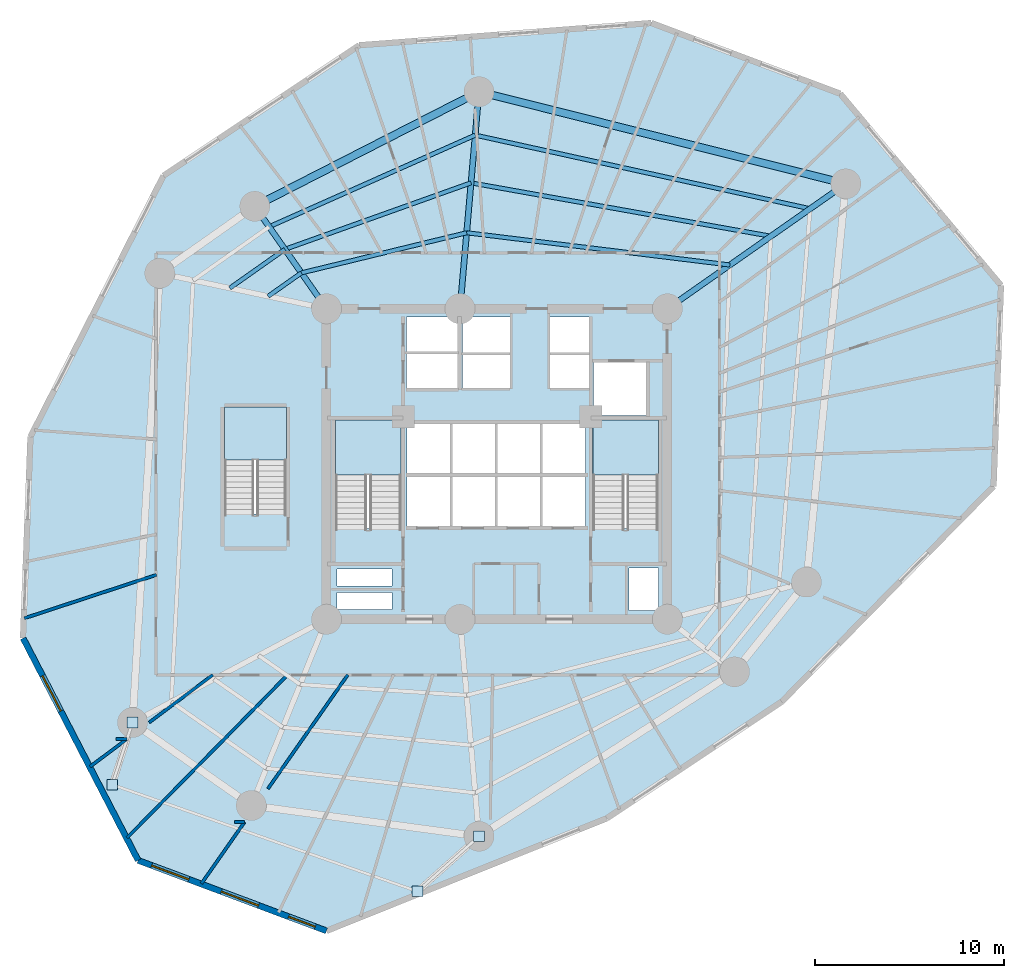
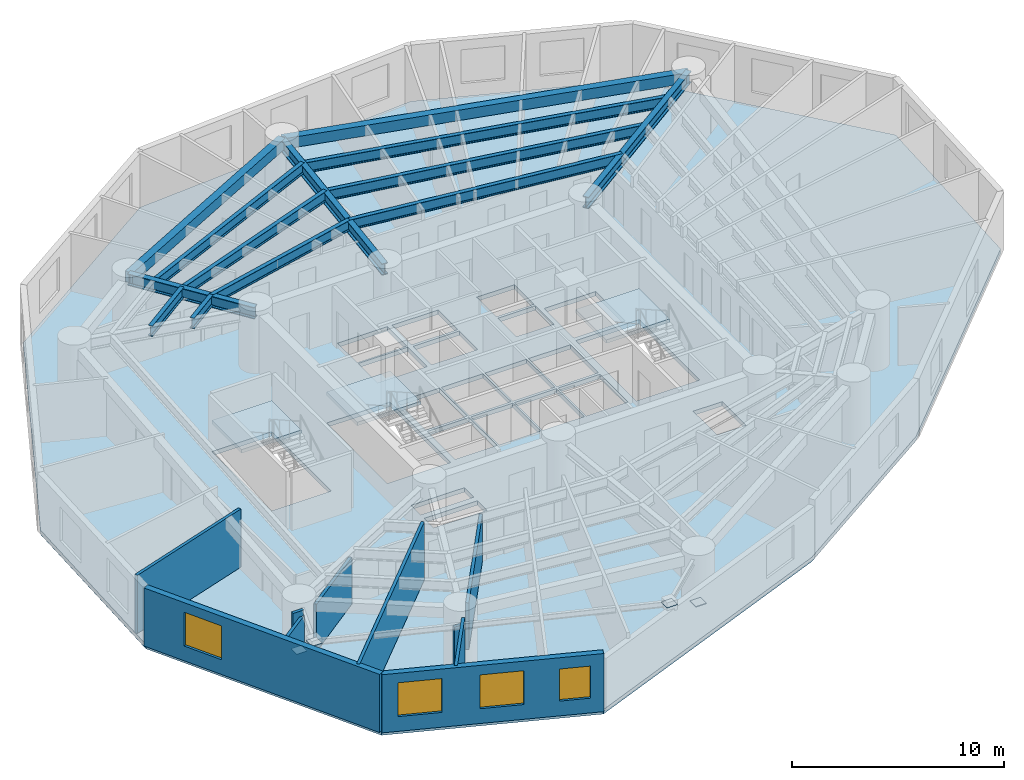
# One storey, part 2 of 8: 13 beams, 10 walls, 4 plates, 4 slabs, 4 windows, 4 openings, 3 elements without a shape of their own.
"""IFC4 building model written with IfcOpenShell, lengths in metres."""

from ifc_helpers import new_model, si_unit, direction, frame, frame_2d, origin, origin_with_axes, origin_2d, place, context, subcontext, project, spatial, polyline, rectangle, i_section, outline, extrude, source, transform, mapped, material, layer, layer_set, material_profile, profile_set, type_object, element, fill, aggregate, save


model = new_model("IFC4")

# Units and contexts
model_context = context("Model", 3, precision=1e-05, world=origin(), true_north=direction((0.0, 1.0)))
body_context = subcontext(model_context, "Body", "Model", "MODEL_VIEW")
ifc_project = project(units=[si_unit("LENGTHUNIT", "METRE"), si_unit("AREAUNIT", "SQUARE_METRE"), si_unit("VOLUMEUNIT", "CUBIC_METRE"), si_unit("PLANEANGLEUNIT", "RADIAN"), si_unit("MASSUNIT", "GRAM", prefix="KILO")], contexts=[model_context])

# Site, building, storey
site_placement = place(None, origin())
site = spatial("IfcSite", under=ifc_project, at=site_placement, CompositionType="ELEMENT")
building_placement = place(site_placement, origin())
building = spatial("IfcBuilding", under=site, at=building_placement, Name="Karkom Vertical University and Central Library", CompositionType="ELEMENT")
storey_placement = place(building_placement, frame((0.0, 0.0, 40.89990234375)))
storey = spatial("IfcBuildingStorey", under=building, at=storey_placement, Name="L10", CompositionType="ELEMENT", Elevation=40.89990234375)

# Beams
ifc_material_1 = material(Name="Steel S355", Category="steel")
ifc_material_profile_1 = material_profile(ifc_material_1, i_section(OverallWidth=0.300048828125, OverallDepth=0.64990234375, WebThickness=0.01611328125, FlangeThickness=0.031005859375, FilletRadius=0.027099609375, at=origin_2d()), Name="HE 650 B")
ifc_profile_set_1 = profile_set([ifc_material_profile_1], Name="Steel S355")
beam_type_1 = type_object("IfcBeamType", Name="STR-BM-SB-HE650", PredefinedType="USERDEFINED", material=ifc_profile_set_1)
shared_shape_1 = source(origin_with_axes(), body_context, "Body", "SweptSolid", [
    extrude(i_section(OverallWidth=0.300048828125, OverallDepth=0.64990234375, WebThickness=0.01611328125, FlangeThickness=0.031005859375, FilletRadius=0.027099609375, at=origin_2d()), origin(), (0.0, 0.0, 1.0), 11.49951171875),
])
beam_1_placement = place(storey_placement, frame((37.5, 34.699951171875, 3.025146484375), z_axis=(0.81915012564, 0.573579176457, 0.0), x_axis=(-0.573579176457, 0.81915012564, 0.0)))
element("IfcBeam", 1, at=beam_1_placement, inside=storey, type_object=beam_type_1, Name="Level 10 Radial Frame Girder 02", ObjectType="GIRDER", PredefinedType="USERDEFINED", context=body_context, shape_type="MappedRepresentation", body=[
    mapped(shared_shape_1, transform((0.0, 0.0, 0.0), scale=1.0)),
])
shared_shape_2 = source(origin_with_axes(), body_context, "Body", "SweptSolid", [
    extrude(i_section(OverallWidth=0.300048828125, OverallDepth=0.64990234375, WebThickness=0.01611328125, FlangeThickness=0.031005859375, FilletRadius=0.027099609375, at=origin_2d()), origin(), (0.0, 0.0, 1.0), 11.499755859375),
])
beam_2_placement = place(storey_placement, frame((26.550048828125, 34.699951171875, 3.025146484375), z_axis=(0.087127973109, 0.99619712723, 0.0), x_axis=(-0.99619712723, 0.087127973109, 0.0)))
element("IfcBeam", 2, at=beam_2_placement, inside=storey, type_object=beam_type_1, Name="Level 10 Radial Frame Girder 03", ObjectType="GIRDER", PredefinedType="USERDEFINED", context=body_context, shape_type="MappedRepresentation", body=[
    mapped(shared_shape_2, transform((0.0, 0.0, 0.0), scale=1.0)),
])
shared_shape_3 = source(origin_with_axes(), body_context, "Body", "SweptSolid", [
    extrude(i_section(OverallWidth=0.300048828125, OverallDepth=0.64990234375, WebThickness=0.01611328125, FlangeThickness=0.031005859375, FilletRadius=0.027099609375, at=origin_2d()), origin(), (0.0, 0.0, 1.0), 6.599853515625),
])
beam_3_placement = place(storey_placement, frame((19.5, 34.699951171875, 3.025146484375), z_axis=(-0.573633636671, 0.819111989218, 0.0), x_axis=(-0.819111989218, -0.573633636671, 0.0)))
element("IfcBeam", 3, at=beam_3_placement, inside=storey, type_object=beam_type_1, Name="Level 10 Radial Frame Girder 04", ObjectType="GIRDER", PredefinedType="USERDEFINED", context=body_context, shape_type="MappedRepresentation", body=[
    mapped(shared_shape_3, transform((0.0, 0.0, 0.0), scale=1.0)),
])
ifc_material_2 = material(Name="Precast concrete C45/55", Category="concrete")
ifc_material_profile_2 = material_profile(ifc_material_2, rectangle(XDim=0.39990234375, YDim=0.60009765625, at=origin_2d()), Name="SPB-400x600")
ifc_profile_set_2 = profile_set([ifc_material_profile_2], Name="Precast concrete C45/55")
beam_type_2 = type_object("IfcBeamType", Name="STR-BM-SP-1", PredefinedType="SPANDREL", material=ifc_profile_set_2)
shared_shape_4 = source(origin_with_axes(), body_context, "Body", "SweptSolid", [
    extrude(rectangle(XDim=0.39990234375, YDim=0.60009765625, at=origin_2d()), origin(), (0.0, 0.0, 1.0), 19.968505859375),
])
beam_4_placement = place(storey_placement, frame((46.919921875, 41.2958984375, 3.050048828125), z_axis=(-0.969928522391, 0.243389937039, 0.0), x_axis=(-0.243389937039, -0.969928522391, 0.0)))
element("IfcBeam", 4, at=beam_4_placement, inside=storey, type_object=beam_type_2, Name="Level 10 Perimeter Spandrel Beam 02", PredefinedType="SPANDREL", context=body_context, shape_type="MappedRepresentation", body=[
    mapped(shared_shape_4, transform((0.0, 0.0, 0.0), scale=1.0)),
])
shared_shape_5 = source(origin_with_axes(), body_context, "Body", "SweptSolid", [
    extrude(rectangle(XDim=0.39990234375, YDim=0.60009765625, at=origin_2d()), origin(), (0.0, 0.0, 1.0), 13.29443359375),
])
beam_5_placement = place(storey_placement, frame((27.552001953125, 46.156005859375, 3.050048828125), z_axis=(-0.890447746793, -0.455085497716, 0.0), x_axis=(0.455085497716, -0.890447746793, 0.0)))
element("IfcBeam", 5, at=beam_5_placement, inside=storey, type_object=beam_type_2, Name="Level 10 Perimeter Spandrel Beam 03", PredefinedType="SPANDREL", context=body_context, shape_type="MappedRepresentation", body=[
    mapped(shared_shape_5, transform((0.0, 0.0, 0.0), scale=1.0)),
])
ifc_material_profile_3 = material_profile(ifc_material_1, i_section(OverallWidth=0.219970703125, OverallDepth=0.60009765625, WebThickness=0.011962890625, FlangeThickness=0.01904296875, FilletRadius=0.02392578125, at=origin_2d()), Name="IPE 600")
ifc_profile_set_3 = profile_set([ifc_material_profile_3], Name="Steel S355")
beam_type_3 = type_object("IfcBeamType", Name="STR-BM-SB-IPE600", PredefinedType="BEAM", material=ifc_profile_set_3)
shared_shape_6 = source(origin_with_axes(), body_context, "Body", "SweptSolid", [
    extrude(i_section(OverallWidth=0.219970703125, OverallDepth=0.60009765625, WebThickness=0.011962890625, FlangeThickness=0.01904296875, FilletRadius=0.02392578125, at=origin_2d()), origin(), (0.0, 0.0, 1.0), 14.000244140625),
])
beam_6_placement = place(storey_placement, frame((40.797119140625, 37.008544921875, 3.050048828125), z_axis=(-0.992590166403, 0.121510335198, 0.0), x_axis=(-0.121510335198, -0.992590166403, 0.0)))
element("IfcBeam", 6, at=beam_6_placement, inside=storey, type_object=beam_type_3, Name="Level 10 Secondary Composite Floor Beam 1.02", PredefinedType="BEAM", context=body_context, shape_type="MappedRepresentation", body=[
    mapped(shared_shape_6, transform((0.0, 0.0, 0.0), scale=1.0)),
])
shared_shape_7 = source(origin_with_axes(), body_context, "Body", "SweptSolid", [
    extrude(i_section(OverallWidth=0.219970703125, OverallDepth=0.60009765625, WebThickness=0.011962890625, FlangeThickness=0.01904296875, FilletRadius=0.02392578125, at=origin_2d()), origin(), (0.0, 0.0, 1.0), 8.97900390625),
])
beam_7_placement = place(storey_placement, frame((26.900634765625, 38.709716796875, 3.050048828125), z_axis=(-0.971790837509, -0.235844372697, 0.0), x_axis=(0.235844372697, -0.971790837509, 0.0)))
element("IfcBeam", 7, at=beam_7_placement, inside=storey, type_object=beam_type_3, Name="Level 10 Secondary Composite Floor Beam 1.03", PredefinedType="BEAM", context=body_context, shape_type="MappedRepresentation", body=[
    mapped(shared_shape_7, transform((0.0, 0.0, 0.0), scale=1.0)),
])
shared_shape_8 = source(origin_with_axes(), body_context, "Body", "SweptSolid", [
    extrude(i_section(OverallWidth=0.219970703125, OverallDepth=0.60009765625, WebThickness=0.011962890625, FlangeThickness=0.01904296875, FilletRadius=0.02392578125, at=origin_2d()), origin(), (0.0, 0.0, 1.0), 2.14794921875),
])
beam_8_placement = place(storey_placement, frame((18.1748046875, 36.592041015625, 3.050048828125), z_axis=(-0.817433780971, -0.576022580918, 0.0), x_axis=(0.576022580918, -0.817433780971, 0.0)))
element("IfcBeam", 8, at=beam_8_placement, inside=storey, type_object=beam_type_3, Name="Level 10 Secondary Composite Floor Beam 1.04", PredefinedType="BEAM", context=body_context, shape_type="MappedRepresentation", body=[
    mapped(shared_shape_8, transform((0.0, 0.0, 0.0), scale=1.0)),
])
shared_shape_9 = source(origin_with_axes(), body_context, "Body", "SweptSolid", [
    extrude(i_section(OverallWidth=0.219970703125, OverallDepth=0.60009765625, WebThickness=0.011962890625, FlangeThickness=0.01904296875, FilletRadius=0.02392578125, at=origin_2d()), origin(), (0.0, 0.0, 1.0), 16.08154296875),
])
beam_9_placement = place(storey_placement, frame((42.963623046875, 38.525634765625, 3.050048828125), z_axis=(-0.984517708807, 0.175285142111, 0.0), x_axis=(-0.175285142111, -0.984517708807, 0.0)))
element("IfcBeam", 9, at=beam_9_placement, inside=storey, type_object=beam_type_3, Name="Level 10 Secondary Composite Floor Beam 2.02", PredefinedType="BEAM", context=body_context, shape_type="MappedRepresentation", body=[
    mapped(shared_shape_9, transform((0.0, 0.0, 0.0), scale=1.0)),
])
shared_shape_10 = source(origin_with_axes(), body_context, "Body", "SweptSolid", [
    extrude(i_section(OverallWidth=0.219970703125, OverallDepth=0.60009765625, WebThickness=0.011962890625, FlangeThickness=0.01904296875, FilletRadius=0.02392578125, at=origin_2d()), origin(), (0.0, 0.0, 1.0), 10.4345703125),
])
beam_10_placement = place(storey_placement, frame((27.131103515625, 41.344482421875, 3.050048828125), z_axis=(-0.941759378798, -0.336287484819, 0.0), x_axis=(0.336287484819, -0.941759378798, 0.0)))
element("IfcBeam", 10, at=beam_10_placement, inside=storey, type_object=beam_type_3, Name="Level 10 Secondary Composite Floor Beam 2.03", PredefinedType="BEAM", context=body_context, shape_type="MappedRepresentation", body=[
    mapped(shared_shape_10, transform((0.0, 0.0, 0.0), scale=1.0)),
])
shared_shape_11 = source(origin_with_axes(), body_context, "Body", "SweptSolid", [
    extrude(i_section(OverallWidth=0.219970703125, OverallDepth=0.60009765625, WebThickness=0.011962890625, FlangeThickness=0.01904296875, FilletRadius=0.02392578125, at=origin_2d()), origin(), (0.0, 0.0, 1.0), 3.5595703125),
])
beam_11_placement = place(storey_placement, frame((17.30419921875, 37.83544921875, 3.050048828125), z_axis=(-0.817465552849, -0.575977490798, 0.0), x_axis=(0.575977490798, -0.817465552849, 0.0)))
element("IfcBeam", 11, at=beam_11_placement, inside=storey, type_object=beam_type_3, Name="Level 10 Secondary Composite Floor Beam 2.04", PredefinedType="BEAM", context=body_context, shape_type="MappedRepresentation", body=[
    mapped(shared_shape_11, transform((0.0, 0.0, 0.0), scale=1.0)),
])
shared_shape_12 = source(origin_with_axes(), body_context, "Body", "SweptSolid", [
    extrude(i_section(OverallWidth=0.219970703125, OverallDepth=0.60009765625, WebThickness=0.011962890625, FlangeThickness=0.01904296875, FilletRadius=0.02392578125, at=origin_2d()), origin(), (0.0, 0.0, 1.0), 18.106689453125),
])
beam_12_placement = place(storey_placement, frame((45.035888671875, 39.976806640625, 3.050048828125), z_axis=(-0.976674731786, 0.214724167926, 0.0), x_axis=(-0.214724167926, -0.976674731786, 0.0)))
element("IfcBeam", 12, at=beam_12_placement, inside=storey, type_object=beam_type_3, Name="Level 10 Secondary Composite Floor Beam 3.02", PredefinedType="BEAM", context=body_context, shape_type="MappedRepresentation", body=[
    mapped(shared_shape_12, transform((0.0, 0.0, 0.0), scale=1.0)),
])
shared_shape_13 = source(origin_with_axes(), body_context, "Body", "SweptSolid", [
    extrude(i_section(OverallWidth=0.219970703125, OverallDepth=0.60009765625, WebThickness=0.011962890625, FlangeThickness=0.01904296875, FilletRadius=0.02392578125, at=origin_2d()), origin(), (0.0, 0.0, 1.0), 11.908203125),
])
beam_13_placement = place(storey_placement, frame((27.3515625, 43.86474609375, 3.050048828125), z_axis=(-0.913682996781, -0.406427584441, 0.0), x_axis=(0.406427584441, -0.913682996781, 0.0)))
element("IfcBeam", 13, at=beam_13_placement, inside=storey, type_object=beam_type_3, Name="Level 10 Secondary Composite Floor Beam 3.03", PredefinedType="BEAM", context=body_context, shape_type="MappedRepresentation", body=[
    mapped(shared_shape_13, transform((0.0, 0.0, 0.0), scale=1.0)),
])

# Stair, slab
ifc_material_3 = material(Name="Concrete C45/55", Category="concrete")
stair_type_1 = type_object("IfcStairType", Name="INT-STR-ST-MAIN", PredefinedType="HALF_TURN_STAIR", material=ifc_material_3)
stair_1_placement = place(storey_placement, origin())
stair_1 = element("IfcStair", 14, at=stair_1_placement, inside=storey, type_object=stair_type_1, Name="Level 10 Tower Protected Exit Stair ST-1", PredefinedType="HALF_TURN_STAIR")
ifc_layer_1 = layer(ifc_material_3, 0.199951171875)
ifc_layer_set_1 = layer_set([ifc_layer_1], Name="Concrete C45/55")
slab_type_1 = type_object("IfcSlabType", Name="INT-SLB-LANDING", PredefinedType="LANDING", material=ifc_layer_set_1)
slab_1_placement = place(storey_placement, frame((0.0, 0.0, 1.60009765625)))
slab_1 = element("IfcSlab", 15, at=slab_1_placement, type_object=slab_type_1, Name="ST-1 landing 1", PredefinedType="LANDING", context=body_context, shape_type="SweptSolid", body=[
    extrude(outline(polyline([(23.43994140625, 25.919921875), (23.43994140625, 28.820068359375), (19.97998046875, 28.820068359375), (19.97998046875, 25.919921875), (23.43994140625, 25.919921875)])), origin(), (0.0, 0.0, 1.0), 0.199951171875),
])
aggregate(stair_1, [slab_1])

stair_2_placement = place(storey_placement, origin())
stair_2 = element("IfcStair", 16, at=stair_2_placement, inside=storey, type_object=stair_type_1, Name="Level 10 Tower Protected Exit Stair ST-2", PredefinedType="HALF_TURN_STAIR")
slab_2_placement = place(storey_placement, frame((0.0, 0.0, 1.60009765625)))
slab_2 = element("IfcSlab", 17, at=slab_2_placement, type_object=slab_type_1, Name="ST-2 landing 1", PredefinedType="LANDING", context=body_context, shape_type="SweptSolid", body=[
    extrude(outline(polyline([(37.02001953125, 25.919921875), (37.02001953125, 28.820068359375), (33.56005859375, 28.820068359375), (33.56005859375, 25.919921875), (37.02001953125, 25.919921875)])), origin(), (0.0, 0.0, 1.0), 0.199951171875),
])
aggregate(stair_2, [slab_2])

stair_type_2 = type_object("IfcStairType", Name="INT-STR-ST-SEC", PredefinedType="HALF_TURN_STAIR", material=ifc_material_3)
stair_3_placement = place(storey_placement, origin())
stair_3 = element("IfcStair", 18, at=stair_3_placement, inside=storey, type_object=stair_type_2, Name="Level 10 Academic Zone Protected Exit Stair ST-3", PredefinedType="HALF_TURN_STAIR")
slab_3_placement = place(storey_placement, frame((0.0, 0.0, 1.60009765625)))
slab_3 = element("IfcSlab", 19, at=slab_3_placement, type_object=slab_type_1, Name="ST-3 landing 1", PredefinedType="LANDING", context=body_context, shape_type="SweptSolid", body=[
    extrude(outline(polyline([(17.3798828125, 26.699951171875), (17.3798828125, 29.5), (14.1201171875, 29.5), (14.1201171875, 26.699951171875), (17.3798828125, 26.699951171875)])), origin(), (0.0, 0.0, 1.0), 0.199951171875),
])
aggregate(stair_3, [slab_3])

# Slab
ifc_layer_2 = layer(ifc_material_3, 0.25)
ifc_layer_set_2 = layer_set([ifc_layer_2], Name="Concrete C45/55")
slab_type_2 = type_object("IfcSlabType", Name="STR-SLB-FLR-250", PredefinedType="FLOOR", material=ifc_layer_set_2)
slab_4_placement = place(storey_placement, frame((0.0, 0.0, -0.25)))
element("IfcSlab", 20, at=slab_4_placement, inside=storey, type_object=slab_type_2, Name="Level 10 Tower Structural Floor Slab", PredefinedType="FLOOR", context=body_context, shape_type="SweptSolid", body=[
    extrude(outline(polyline([(21.23193359375, 48.6083984375), (10.89306640625, 41.718505859375), (3.873291015625, 27.939453125), (3.47900390625, 17.30517578125), (9.55224609375, 5.571533203125), (19.497314453125, 1.85009765625), (34.298828125, 7.797119140625), (43.529541015625, 13.948486328125), (54.7158203125, 25.320068359375), (55.109619140625, 35.931640625), (46.617919921875, 46.0537109375), (36.651123046875, 49.783203125), (21.23193359375, 48.6083984375)]), holes=[polyline([(19.97998046875, 23.0849609375), (23.43994140625, 23.0849609375), (23.43994140625, 28.820068359375), (19.97998046875, 28.820068359375), (19.97998046875, 23.0849609375)]), polyline([(33.56005859375, 23.0849609375), (37.02001953125, 23.0849609375), (37.02001953125, 28.820068359375), (33.56005859375, 28.820068359375), (33.56005859375, 23.0849609375)]), polyline([(14.1201171875, 23.864990234375), (17.3798828125, 23.864990234375), (17.3798828125, 29.5), (14.1201171875, 29.5), (14.1201171875, 23.864990234375)]), polyline([(23.75, 23.199951171875), (26.030029296875, 23.199951171875), (26.030029296875, 25.85009765625), (23.75, 25.85009765625), (23.75, 23.199951171875)]), polyline([(26.1298828125, 23.199951171875), (28.409912109375, 23.199951171875), (28.409912109375, 25.85009765625), (26.1298828125, 25.85009765625), (26.1298828125, 23.199951171875)]), polyline([(28.510009765625, 23.199951171875), (30.7900390625, 23.199951171875), (30.7900390625, 25.85009765625), (28.510009765625, 25.85009765625), (28.510009765625, 23.199951171875)]), polyline([(30.889892578125, 23.199951171875), (33.169921875, 23.199951171875), (33.169921875, 25.85009765625), (30.889892578125, 25.85009765625), (30.889892578125, 23.199951171875)]), polyline([(23.75, 26.0), (26.030029296875, 26.0), (26.030029296875, 28.64990234375), (23.75, 28.64990234375), (23.75, 26.0)]), polyline([(26.1298828125, 26.0), (28.409912109375, 26.0), (28.409912109375, 28.64990234375), (26.1298828125, 28.64990234375), (26.1298828125, 26.0)]), polyline([(28.510009765625, 26.0), (30.7900390625, 26.0), (30.7900390625, 28.64990234375), (28.510009765625, 28.64990234375), (28.510009765625, 26.0)]), polyline([(30.889892578125, 26.0), (33.169921875, 26.0), (33.169921875, 28.64990234375), (30.889892578125, 28.64990234375), (30.889892578125, 26.0)]), polyline([(26.679931640625, 30.5), (29.199951171875, 30.5), (29.199951171875, 32.25), (26.679931640625, 32.25), (26.679931640625, 30.5)]), polyline([(26.679931640625, 32.39990234375), (29.199951171875, 32.39990234375), (29.199951171875, 34.25), (26.679931640625, 34.25), (26.679931640625, 32.39990234375)]), polyline([(31.300048828125, 30.5), (33.35009765625, 30.5), (33.35009765625, 32.25), (31.300048828125, 32.25), (31.300048828125, 30.5)]), polyline([(31.300048828125, 32.39990234375), (33.35009765625, 32.39990234375), (33.35009765625, 34.25), (31.300048828125, 34.25), (31.300048828125, 32.39990234375)]), polyline([(23.719970703125, 30.47998046875), (26.429931640625, 30.47998046875), (26.429931640625, 32.320068359375), (23.719970703125, 32.320068359375), (23.719970703125, 30.47998046875)]), polyline([(23.719970703125, 32.419921875), (26.429931640625, 32.419921875), (26.429931640625, 34.260009765625), (23.719970703125, 34.260009765625), (23.719970703125, 32.419921875)]), polyline([(33.60009765625, 29.050048828125), (36.39990234375, 29.050048828125), (36.39990234375, 31.85009765625), (33.60009765625, 31.85009765625), (33.60009765625, 29.050048828125)]), polyline([(20.050048828125, 18.820068359375), (22.949951171875, 18.820068359375), (22.949951171875, 19.719970703125), (20.050048828125, 19.719970703125), (20.050048828125, 18.820068359375)]), polyline([(20.050048828125, 20.06005859375), (22.949951171875, 20.06005859375), (22.949951171875, 20.9599609375), (20.050048828125, 20.9599609375), (20.050048828125, 20.06005859375)]), polyline([(35.4599609375, 18.760009765625), (37.0400390625, 18.760009765625), (37.0400390625, 21.010009765625), (35.4599609375, 21.010009765625), (35.4599609375, 18.760009765625)])]), origin(), (0.0, 0.0, 1.0), 0.25),
])

# Plates
ifc_layer_3 = layer(ifc_material_1, 0.028076171875)
ifc_layer_set_3 = layer_set([ifc_layer_3], Name="Steel S355")
plate_type = type_object("IfcPlateType", Name="STR-PLT-GP-2", PredefinedType="USERDEFINED", material=ifc_layer_set_3)
shared_shape_14 = source(origin_with_axes(), body_context, "Body", "SweptSolid", [
    extrude(rectangle(XDim=0.56005859375, YDim=0.56005859375, at=origin_2d()), origin(), (0.0, 0.0, 1.0), 0.028076171875),
])
for number, where, z_axis, x_axis, name in (
    (21, (9.258056640625, 12.85400390625, 0.3359375), (0.0, 0.0, 1.0), (1.0, 0.0, 0.0), "Level 10 Node Gusset Cap Plate L10-SKG-KNEE-1 A"),
    (22, (8.185791015625, 9.572998046875, 3.1708984375), (0.0, 0.0, 1.0), (1.0, 0.0, 0.0), "Level 10 Node Gusset Cap Plate L10-SKG-KNEE-1 B"),
    (23, (27.552001953125, 6.843994140625, 0.3359375), (0.0, 0.0, 1.0), (1.0, 0.0, 0.0), "Level 10 Node Gusset Cap Plate L10-SKG-KNEE-2 A"),
    (24, (24.303466796875, 3.93798828125, 3.1708984375), (0.0, 0.0, 1.0), (1.0, 0.0, 0.0), "Level 10 Node Gusset Cap Plate L10-SKG-KNEE-2 B"),
):
    element("IfcPlate", number, at=place(storey_placement, frame(where, z_axis=z_axis, x_axis=x_axis)), inside=storey, type_object=plate_type, Name=name, ObjectType="GUSSET PLATE", PredefinedType="USERDEFINED", context=body_context, shape_type="MappedRepresentation", body=[
        mapped(shared_shape_14, transform((0.0, 0.0, 0.0), scale=1.0)),
    ])

# Wall, opening, window
ifc_material_4 = material(Name="Brick-faced precast concrete C45/55", Category="masonry")
ifc_layer_4 = layer(ifc_material_4, 0.320068359375)
ifc_layer_set_4 = layer_set([ifc_layer_4], Name="Brick-faced precast concrete C45/55")
wall_type_1 = type_object("IfcWallType", Name="ENV-WL-BRK-320", PredefinedType="SOLIDWALL", material=ifc_layer_set_4)
wall_1_placement = place(storey_placement, frame((3.47900390625, 17.30517578125, 0.0), z_axis=(0.0, 0.0, 1.0), x_axis=(0.459668719491, -0.888090461789, 0.0)))
wall_1 = element("IfcWall", 25, at=wall_1_placement, inside=storey, type_object=wall_type_1, Name="Level 10 Brick-Faced Precast Facade Wall 04", PredefinedType="SOLIDWALL", context=body_context, shape_type="SweptSolid", body=[
    extrude(rectangle(XDim=13.212158203125, YDim=0.320068359375, at=frame_2d((6.60595703125, 0.0))), origin(), (0.0, 0.0, 1.0), 3.35009765625),
])
opening_1_placement = place(wall_1_placement, frame((2.235595703125, 0.0, 0.85009765625)))
opening_1 = element("IfcOpeningElement", 26, at=opening_1_placement, cuts=wall_1, Name="Opening WN-03", PredefinedType="OPENING", context=body_context, shape_type="SweptSolid", body=[
    extrude(rectangle(XDim=2.10009765625, YDim=1.949951171875, at=frame_2d((1.050048828125, 0.97509765625))), frame((0.0, 0.169921875, 0.0), z_axis=(0.0, -1.0, 0.0), x_axis=(1.0, 0.0, 0.0)), (0.0, 0.0, 1.0), 0.340087890625),
])
ifc_material_5 = material(Name="Aluminium thermal-break frame with solar-control IGU", Category="aluminium")
window_type_1 = type_object("IfcWindowType", Name="ENV-WIN-WN-03", PartitioningType="SINGLE_PANEL", PredefinedType="WINDOW", material=ifc_material_5)
shared_shape_15 = source(origin_with_axes(), body_context, "Body", "SweptSolid", [
    extrude(rectangle(XDim=2.10009765625, YDim=1.949951171875, at=frame_2d((1.050048828125, 0.97509765625))), frame((0.0, 0.030029296875, 0.0), z_axis=(0.0, -1.0, 0.0), x_axis=(1.0, 0.0, 0.0)), (0.0, 0.0, 1.0), 0.06005859375),
])
window_1_placement = place(opening_1_placement, origin())
window_1 = element("IfcWindow", 27, at=window_1_placement, inside=storey, type_object=window_type_1, Name="Level 10 Punched Window 4.1", OverallHeight=1.949951171875, OverallWidth=2.10009765625, PartitioningType="SINGLE_PANEL", PredefinedType="WINDOW", context=body_context, shape_type="MappedRepresentation", body=[
    mapped(shared_shape_15, transform((0.0, 0.0, 0.0), scale=1.0)),
])
fill(opening_1, window_1)

# Wall, openings, windows
wall_2_placement = place(storey_placement, frame((9.55224609375, 5.571533203125, 0.0), z_axis=(0.0, 0.0, 1.0), x_axis=(0.936575558509, -0.350465723293, 0.0)))
wall_2 = element("IfcWall", 28, at=wall_2_placement, inside=storey, type_object=wall_type_1, Name="Level 10 Brick-Faced Precast Facade Wall 05", PredefinedType="SOLIDWALL", context=body_context, shape_type="SweptSolid", body=[
    extrude(rectangle(XDim=10.61865234375, YDim=0.320068359375, at=frame_2d((5.309326171875, 0.0))), origin(), (0.0, 0.0, 1.0), 3.35009765625),
])
opening_2_placement = place(wall_2_placement, frame((0.765625, 0.0, 0.85009765625)))
opening_2 = element("IfcOpeningElement", 29, at=opening_2_placement, cuts=wall_2, Name="Opening WN-03", PredefinedType="OPENING", context=body_context, shape_type="SweptSolid", body=[
    extrude(rectangle(XDim=2.10009765625, YDim=1.949951171875, at=frame_2d((1.050048828125, 0.97509765625))), frame((0.0, 0.169921875, 0.0), z_axis=(0.0, -1.0, 0.0), x_axis=(1.0, 0.0, 0.0)), (0.0, 0.0, 1.0), 0.340087890625),
])
opening_3_placement = place(wall_2_placement, frame((4.6923828125, 0.0, 0.85009765625)))
opening_3 = element("IfcOpeningElement", 30, at=opening_3_placement, cuts=wall_2, Name="Opening WN-03", PredefinedType="OPENING", context=body_context, shape_type="SweptSolid", body=[
    extrude(rectangle(XDim=2.10009765625, YDim=1.949951171875, at=frame_2d((1.050048828125, 0.97509765625))), frame((0.0, 0.169921875, 0.0), z_axis=(0.0, -1.0, 0.0), x_axis=(1.0, 0.0, 0.0)), (0.0, 0.0, 1.0), 0.340087890625),
])
opening_4_placement = place(wall_2_placement, frame((8.486083984375, 0.0, 0.85009765625)))
opening_4 = element("IfcOpeningElement", 31, at=opening_4_placement, cuts=wall_2, Name="Opening WN-05", PredefinedType="OPENING", context=body_context, shape_type="SweptSolid", body=[
    extrude(rectangle(XDim=1.5, YDim=1.85009765625, at=frame_2d((0.75, 0.925048828125))), frame((0.0, 0.169921875, 0.0), z_axis=(0.0, -1.0, 0.0), x_axis=(1.0, 0.0, 0.0)), (0.0, 0.0, 1.0), 0.340087890625),
])
window_2_placement = place(opening_2_placement, origin())
window_2 = element("IfcWindow", 32, at=window_2_placement, inside=storey, type_object=window_type_1, Name="Level 10 Punched Window 5.1", OverallHeight=1.949951171875, OverallWidth=2.10009765625, PartitioningType="SINGLE_PANEL", PredefinedType="WINDOW", context=body_context, shape_type="MappedRepresentation", body=[
    mapped(shared_shape_15, transform((0.0, 0.0, 0.0), scale=1.0)),
])
fill(opening_2, window_2)
window_3_placement = place(opening_3_placement, origin())
window_3 = element("IfcWindow", 33, at=window_3_placement, inside=storey, type_object=window_type_1, Name="Level 10 Punched Window 5.2", OverallHeight=1.949951171875, OverallWidth=2.10009765625, PartitioningType="SINGLE_PANEL", PredefinedType="WINDOW", context=body_context, shape_type="MappedRepresentation", body=[
    mapped(shared_shape_15, transform((0.0, 0.0, 0.0), scale=1.0)),
])
fill(opening_3, window_3)
window_type_2 = type_object("IfcWindowType", Name="ENV-WIN-WN-05", PartitioningType="SINGLE_PANEL", PredefinedType="WINDOW", material=ifc_material_5)
shared_shape_16 = source(origin_with_axes(), body_context, "Body", "SweptSolid", [
    extrude(rectangle(XDim=1.5, YDim=1.85009765625, at=frame_2d((0.75, 0.925048828125))), frame((0.0, 0.030029296875, 0.0), z_axis=(0.0, -1.0, 0.0), x_axis=(1.0, 0.0, 0.0)), (0.0, 0.0, 1.0), 0.06005859375),
])
window_4_placement = place(opening_4_placement, origin())
window_4 = element("IfcWindow", 34, at=window_4_placement, inside=storey, type_object=window_type_2, Name="Level 10 Punched Window 5.3", OverallHeight=1.85009765625, OverallWidth=1.5, PartitioningType="SINGLE_PANEL", PredefinedType="WINDOW", context=body_context, shape_type="MappedRepresentation", body=[
    mapped(shared_shape_16, transform((0.0, 0.0, 0.0), scale=1.0)),
])
fill(opening_4, window_4)

# Walls
ifc_material_6 = material(Name="Insulated metal-stud drywall 160mm", Category="gypsum")
ifc_layer_5 = layer(ifc_material_6, 0.159912109375)
ifc_layer_set_5 = layer_set([ifc_layer_5], Name="Insulated metal-stud drywall 160mm")
wall_type_2 = type_object("IfcWallType", Name="INT-WL-COR-160", PredefinedType="PARTITIONING", material=ifc_layer_set_5)
wall_3_placement = place(storey_placement, frame((17.4599609375, 15.382080078125, 0.0), z_axis=(0.0, 0.0, 1.0), x_axis=(-0.701892154134, -0.712283232967, 0.0)))
element("IfcWall", 35, at=wall_3_placement, inside=storey, type_object=wall_type_2, Name="Level 10 Interior Partition Wall L10-PW-007", PredefinedType="PARTITIONING", context=body_context, shape_type="SweptSolid", body=[
    extrude(rectangle(XDim=12.10009765625, YDim=0.159912109375, at=frame_2d((6.050048828125, 0.0))), origin(), (0.0, 0.0, 1.0), 3.35009765625),
])
wall_4_placement = place(storey_placement, frame((20.627685546875, 15.37451171875, 0.0), z_axis=(0.0, 0.0, 1.0), x_axis=(-0.574028069181, -0.818835621961, 0.0)))
element("IfcWall", 36, at=wall_4_placement, inside=storey, type_object=wall_type_2, Name="Level 10 Interior Partition Wall L10-PW-010", PredefinedType="PARTITIONING", context=body_context, shape_type="SweptSolid", body=[
    extrude(rectangle(XDim=7.35498046875, YDim=0.159912109375, at=frame_2d((3.677490234375, 0.0))), origin(), (0.0, 0.0, 1.0), 2.7001953125),
])
wall_5_placement = place(storey_placement, frame((10.528564453125, 20.65283203125, 0.0), z_axis=(0.0, 0.0, 1.0), x_axis=(-0.949941357918, -0.312428258191, 0.0)))
element("IfcWall", 37, at=wall_5_placement, inside=storey, type_object=wall_type_2, Name="Level 10 Interior Partition Wall L10-PW-003", PredefinedType="PARTITIONING", context=body_context, shape_type="SweptSolid", body=[
    extrude(rectangle(XDim=7.349365234375, YDim=0.159912109375, at=frame_2d((3.6748046875, 0.0))), origin(), (0.0, 0.0, 1.0), 3.35009765625),
])
wall_6_placement = place(storey_placement, frame((13.500244140625, 15.367919921875, 0.0), z_axis=(0.0, 0.0, 1.0), x_axis=(-0.801087584636, -0.598547142456, 0.0)))
element("IfcWall", 38, at=wall_6_placement, inside=storey, type_object=wall_type_2, Name="Level 10 Interior Partition Wall L10-PW-004", PredefinedType="PARTITIONING", context=body_context, shape_type="SweptSolid", body=[
    extrude(rectangle(XDim=4.197265625, YDim=0.159912109375, at=frame_2d((2.0986328125, 0.0))), origin(), (0.0, 0.0, 1.0), 2.7001953125),
])
wall_7_placement = place(storey_placement, frame((15.172119140625, 7.592041015625, 0.0), z_axis=(0.0, 0.0, 1.0), x_axis=(-0.574033017638, -0.818832152924, 0.0)))
element("IfcWall", 39, at=wall_7_placement, inside=storey, type_object=wall_type_2, Name="Level 10 Interior Partition Wall L10-PW-009", PredefinedType="PARTITIONING", context=body_context, shape_type="SweptSolid", body=[
    extrude(rectangle(XDim=3.96142578125, YDim=0.159912109375, at=frame_2d((1.980712890625, 0.0))), origin(), (0.0, 0.0, 1.0), 3.35009765625),
])
wall_8_placement = place(storey_placement, frame((8.957763671875, 11.97412109375, 0.0), z_axis=(0.0, 0.0, 1.0), x_axis=(-0.801075279983, -0.598563610487, 0.0)))
element("IfcWall", 40, at=wall_8_placement, inside=storey, type_object=wall_type_2, Name="Level 10 Interior Partition Wall L10-PW-006", PredefinedType="PARTITIONING", context=body_context, shape_type="SweptSolid", body=[
    extrude(rectangle(XDim=2.421875, YDim=0.159912109375, at=frame_2d((1.2109375, 0.0))), origin(), (0.0, 0.0, 1.0), 3.02001953125),
])
wall_9_placement = place(storey_placement, frame((8.3779296875, 11.97412109375, 0.0), z_axis=(0.0, 0.0, 1.0), x_axis=(1.0, 0.0, 0.0)))
element("IfcWall", 41, at=wall_9_placement, inside=storey, type_object=wall_type_2, Name="Level 10 Interior Partition Wall L10-PW-005", PredefinedType="PARTITIONING", context=body_context, shape_type="SweptSolid", body=[
    extrude(rectangle(XDim=0.579833984375, YDim=0.159912109375, at=frame_2d((0.2900390625, 0.0))), origin(), (0.0, 0.0, 1.0), 3.35009765625),
])
wall_10_placement = place(storey_placement, frame((14.64892578125, 7.592041015625, 0.0), z_axis=(0.0, 0.0, 1.0), x_axis=(1.0, 0.0, 0.0)))
element("IfcWall", 42, at=wall_10_placement, inside=storey, type_object=wall_type_2, Name="Level 10 Interior Partition Wall L10-PW-008", PredefinedType="PARTITIONING", context=body_context, shape_type="SweptSolid", body=[
    extrude(rectangle(XDim=0.523193359375, YDim=0.159912109375, at=frame_2d((0.26171875, 0.0))), origin(), (0.0, 0.0, 1.0), 3.02001953125),
])

save(model, "model.ifc")
